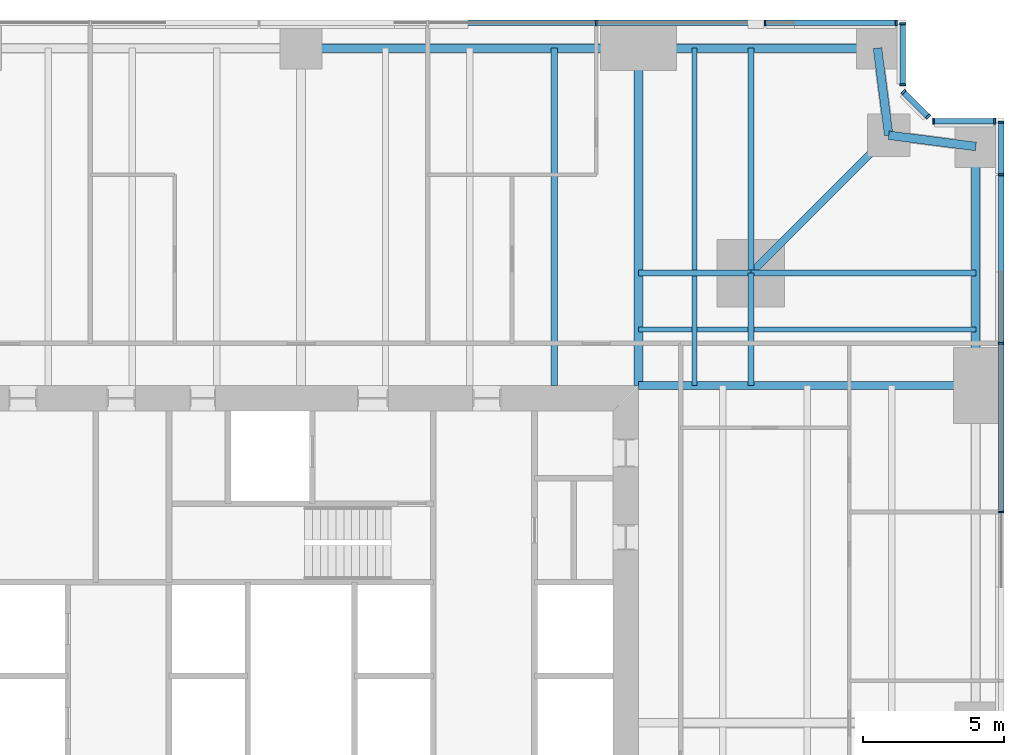
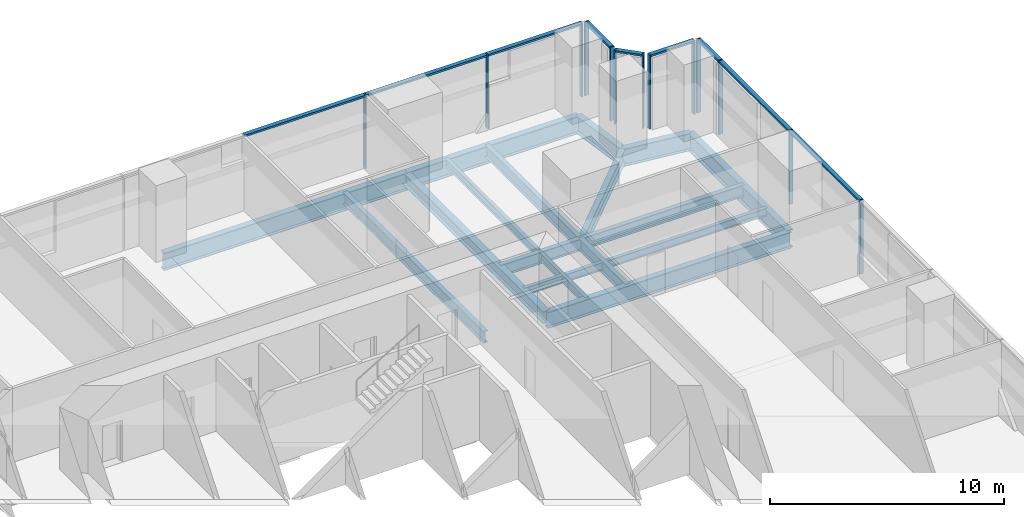
# One storey, part 7 of 13: 22 members, 18 beams, 5 elements without a shape of their own.
"""IFC4 building model written with IfcOpenShell, lengths in metres."""

from ifc_helpers import new_model, si_unit, direction, frame, origin, origin_2d, place, context, subcontext, project, spatial, rectangle, i_section, extrude, material, material_profile, profile_set, type_object, element, aggregate, save


model = new_model("IFC4")

# Units and contexts
model_context = context("Model", 3, precision=1e-05, world=origin(), true_north=direction((0.0, 1.0)))
body_context = subcontext(model_context, "Body", "Model", "MODEL_VIEW")
ifc_project = project(units=[si_unit("LENGTHUNIT", "METRE"), si_unit("AREAUNIT", "SQUARE_METRE"), si_unit("VOLUMEUNIT", "CUBIC_METRE"), si_unit("PLANEANGLEUNIT", "RADIAN"), si_unit("MASSUNIT", "GRAM", prefix="KILO")], contexts=[model_context])

# Site, building, storey
site_placement = place(None, origin())
site = spatial("IfcSite", under=ifc_project, at=site_placement, CompositionType="ELEMENT")
building_placement = place(site_placement, origin())
building = spatial("IfcBuilding", under=site, at=building_placement, Name="Fenwick Lantern Interchange", CompositionType="ELEMENT")
storey_placement = place(building_placement, frame((0.0, 0.0, 39.0)))
storey = spatial("IfcBuildingStorey", under=building, at=storey_placement, Name="L08", CompositionType="ELEMENT", Elevation=39.0)

# Beams
ifc_material_1 = material(Name="Steel ASTM A992 Grade 50", Category="steel")
ifc_material_profile_1 = material_profile(ifc_material_1, i_section(OverallWidth=0.3046875, OverallDepth=0.911865234375, WebThickness=0.015869140625, FlangeThickness=0.02392578125, at=origin_2d()), Name="W36X150")
ifc_profile_set_1 = profile_set([ifc_material_profile_1], Name="Steel ASTM A992 Grade 50")
beam_type_1 = type_object("IfcBeamType", Name="EDGE BEAM W36X150", PredefinedType="SPANDREL", material=ifc_profile_set_1)
beam_1_placement = place(storey_placement, frame((49.0, 37.0, -0.60595703125), z_axis=(0.0, 1.0, 0.0), x_axis=(-1.0, 0.0, 0.0)))
element("IfcBeam", 1, at=beam_1_placement, inside=storey, type_object=beam_type_1, Name="L08/FR/E/EB4", PredefinedType="SPANDREL", context=body_context, shape_type="SweptSolid", body=[
    extrude(i_section(OverallWidth=0.3046875, OverallDepth=0.911865234375, WebThickness=0.015869140625, FlangeThickness=0.02392578125, at=origin_2d()), origin(), (0.0, 0.0, 1.0), 8.5),
])
for number, where, z_axis, x_axis, name in (
    (2, (49.0, 45.5, -0.60595703125), (-0.991782342897, 0.127936641807, 0.0), (-0.127936641807, -0.991782342897, 0.0), "L08/FR/E/EBR1"),
    (3, (45.89990234375, 45.89990234375, -0.60595703125), (-0.127936641807, 0.991782342897, 0.0), (-0.991782342897, -0.127936641807, 0.0), "L08/FR/E/EBR2"),
):
    element("IfcBeam", number, at=place(storey_placement, frame(where, z_axis=z_axis, x_axis=x_axis)), inside=storey, type_object=beam_type_1, Name=name, PredefinedType="SPANDREL", context=body_context, shape_type="SweptSolid", body=[
        extrude(i_section(OverallWidth=0.3046875, OverallDepth=0.911865234375, WebThickness=0.015869140625, FlangeThickness=0.02392578125, at=origin_2d()), origin(), (0.0, 0.0, 1.0), 3.125732421875),
    ])
beam_2_placement = place(storey_placement, frame((45.5, 49.0, -0.60595703125), z_axis=(-1.0, 0.0, 0.0), x_axis=(0.0, -1.0, 0.0)))
element("IfcBeam", 4, at=beam_2_placement, inside=storey, type_object=beam_type_1, Name="L08/FR/N/EB1", PredefinedType="SPANDREL", context=body_context, shape_type="SweptSolid", body=[
    extrude(i_section(OverallWidth=0.3046875, OverallDepth=0.911865234375, WebThickness=0.015869140625, FlangeThickness=0.02392578125, at=origin_2d()), origin(), (0.0, 0.0, 1.0), 8.5),
])
beam_3_placement = place(storey_placement, frame((37.0, 49.0, -0.60595703125), z_axis=(-1.0, 0.0, 0.0), x_axis=(0.0, -1.0, 0.0)))
element("IfcBeam", 5, at=beam_3_placement, inside=storey, type_object=beam_type_1, Name="L08/FR/N/EB2", PredefinedType="SPANDREL", context=body_context, shape_type="SweptSolid", body=[
    extrude(i_section(OverallWidth=0.3046875, OverallDepth=0.911865234375, WebThickness=0.015869140625, FlangeThickness=0.02392578125, at=origin_2d()), origin(), (0.0, 0.0, 1.0), 12.0),
])
ifc_material_profile_2 = material_profile(ifc_material_1, i_section(OverallWidth=0.22900390625, OverallDepth=0.612060546875, WebThickness=0.011962890625, FlangeThickness=0.01953125, at=origin_2d()), Name="W24X84")
ifc_profile_set_2 = profile_set([ifc_material_profile_2], Name="Steel ASTM A992 Grade 50")
beam_type_2 = type_object("IfcBeamType", Name="FLOOR BEAM W24X84", PredefinedType="BEAM", material=ifc_profile_set_2)
beam_4_placement = place(storey_placement, frame((34.0, 49.0, -0.4560546875), z_axis=(0.0, -1.0, 0.0), x_axis=(1.0, 0.0, 0.0)))
element("IfcBeam", 6, at=beam_4_placement, inside=storey, type_object=beam_type_2, Name="L08/FR/N/R02", PredefinedType="BEAM", context=body_context, shape_type="SweptSolid", body=[
    extrude(i_section(OverallWidth=0.22900390625, OverallDepth=0.612060546875, WebThickness=0.011962890625, FlangeThickness=0.01953125, at=origin_2d()), origin(), (0.0, 0.0, 1.0), 12.0),
])
ifc_material_profile_3 = material_profile(ifc_material_1, i_section(OverallWidth=0.177734375, OverallDepth=0.406494140625, WebThickness=0.0078125, FlangeThickness=0.012939453125, at=origin_2d()), Name="W16X40")
ifc_profile_set_3 = profile_set([ifc_material_profile_3], Name="Steel ASTM A992 Grade 50")
beam_type_3 = type_object("IfcBeamType", Name="INFILL BEAM W16X40", PredefinedType="JOIST", material=ifc_profile_set_3)
beam_5_placement = place(storey_placement, frame((39.0, 49.0, -0.353271484375), z_axis=(0.0, -1.0, 0.0), x_axis=(1.0, 0.0, 0.0)))
element("IfcBeam", 7, at=beam_5_placement, inside=storey, type_object=beam_type_3, Name="L08/FR/N/J1", PredefinedType="JOIST", context=body_context, shape_type="SweptSolid", body=[
    extrude(i_section(OverallWidth=0.177734375, OverallDepth=0.406494140625, WebThickness=0.0078125, FlangeThickness=0.012939453125, at=origin_2d()), origin(), (0.0, 0.0, 1.0), 7.885498046875),
])
beam_6_placement = place(storey_placement, frame((39.0, 40.885498046875, -0.353271484375), z_axis=(0.0, -1.0, 0.0), x_axis=(1.0, 0.0, 0.0)))
element("IfcBeam", 8, at=beam_6_placement, inside=storey, type_object=beam_type_3, Name="L08/FR/N/J2", PredefinedType="JOIST", context=body_context, shape_type="SweptSolid", body=[
    extrude(i_section(OverallWidth=0.177734375, OverallDepth=0.406494140625, WebThickness=0.0078125, FlangeThickness=0.012939453125, at=origin_2d()), origin(), (0.0, 0.0, 1.0), 3.885498046875),
])
beam_7_placement = place(storey_placement, frame((49.0, 39.0, -0.353271484375), z_axis=(-1.0, 0.0, 0.0), x_axis=(0.0, -1.0, 0.0)))
element("IfcBeam", 9, at=beam_7_placement, inside=storey, type_object=beam_type_3, Name="L08/FR/N/J3", PredefinedType="JOIST", context=body_context, shape_type="SweptSolid", body=[
    extrude(i_section(OverallWidth=0.177734375, OverallDepth=0.406494140625, WebThickness=0.0078125, FlangeThickness=0.012939453125, at=origin_2d()), origin(), (0.0, 0.0, 1.0), 7.885498046875),
])
beam_8_placement = place(storey_placement, frame((40.885498046875, 39.0, -0.353271484375), z_axis=(-1.0, 0.0, 0.0), x_axis=(0.0, -1.0, 0.0)))
element("IfcBeam", 10, at=beam_8_placement, inside=storey, type_object=beam_type_3, Name="L08/FR/N/J4", PredefinedType="JOIST", context=body_context, shape_type="SweptSolid", body=[
    extrude(i_section(OverallWidth=0.177734375, OverallDepth=0.406494140625, WebThickness=0.0078125, FlangeThickness=0.012939453125, at=origin_2d()), origin(), (0.0, 0.0, 1.0), 1.796630859375),
])
beam_9_placement = place(storey_placement, frame((38.9111328125, 39.0, -0.353271484375), z_axis=(-1.0, 0.0, 0.0), x_axis=(0.0, -1.0, 0.0)))
element("IfcBeam", 11, at=beam_9_placement, inside=storey, type_object=beam_type_3, Name="L08/FR/N/J5", PredefinedType="JOIST", context=body_context, shape_type="SweptSolid", body=[
    extrude(i_section(OverallWidth=0.177734375, OverallDepth=0.406494140625, WebThickness=0.0078125, FlangeThickness=0.012939453125, at=origin_2d()), origin(), (0.0, 0.0, 1.0), 1.9111328125),
])
ifc_material_profile_4 = material_profile(ifc_material_1, i_section(OverallWidth=0.22900390625, OverallDepth=0.612060546875, WebThickness=0.011962890625, FlangeThickness=0.01953125, at=origin_2d()), Name="W24X84")
ifc_profile_set_4 = profile_set([ifc_material_profile_4], Name="Steel ASTM A992 Grade 50")
beam_type_4 = type_object("IfcBeamType", Name="MEGA COLUMN BEAM W24X84", PredefinedType="BEAM", material=ifc_profile_set_4)
for number, where, z_axis, x_axis, name in (
    (12, (41.0, 41.0, -0.4560546875), (0.0, 1.0, 0.0), (-1.0, 0.0, 0.0), "L08/FR/N/MB1"),
    (13, (41.0, 41.0, -0.4560546875), (1.0, 0.0, 0.0), (0.0, 1.0, 0.0), "L08/FR/N/MB2"),
):
    element("IfcBeam", number, at=place(storey_placement, frame(where, z_axis=z_axis, x_axis=x_axis)), inside=storey, type_object=beam_type_4, Name=name, PredefinedType="BEAM", context=body_context, shape_type="SweptSolid", body=[
        extrude(i_section(OverallWidth=0.22900390625, OverallDepth=0.612060546875, WebThickness=0.011962890625, FlangeThickness=0.01953125, at=origin_2d()), origin(), (0.0, 0.0, 1.0), 8.0),
    ])
for number, where, z_axis, x_axis, name in (
    (14, (41.0, 41.0, -0.4560546875), (-1.0, 0.0, 0.0), (0.0, -1.0, 0.0), "L08/FR/N/MB3"),
    (15, (41.0, 41.0, -0.4560546875), (0.0, -1.0, 0.0), (1.0, 0.0, 0.0), "L08/FR/N/MB4"),
):
    element("IfcBeam", number, at=place(storey_placement, frame(where, z_axis=z_axis, x_axis=x_axis)), inside=storey, type_object=beam_type_4, Name=name, PredefinedType="BEAM", context=body_context, shape_type="SweptSolid", body=[
        extrude(i_section(OverallWidth=0.22900390625, OverallDepth=0.612060546875, WebThickness=0.011962890625, FlangeThickness=0.01953125, at=origin_2d()), origin(), (0.0, 0.0, 1.0), 4.0),
    ])
ifc_material_profile_5 = material_profile(ifc_material_1, i_section(OverallWidth=0.32763671875, OverallDepth=0.622314453125, WebThickness=0.015380859375, FlangeThickness=0.0244140625, at=origin_2d()), Name="W24X131")
ifc_profile_set_5 = profile_set([ifc_material_profile_5], Name="Steel ASTM A992 Grade 50")
beam_type_5 = type_object("IfcBeamType", Name="MOMENT-CONNECTED GIRDER W24X131", PredefinedType="BEAM", material=ifc_profile_set_5)
beam_10_placement = place(storey_placement, frame((37.0, 49.0, -0.461181640625), z_axis=(0.0, -1.0, 0.0), x_axis=(1.0, 0.0, 0.0)))
element("IfcBeam", 16, at=beam_10_placement, inside=storey, type_object=beam_type_5, Name="L08/FR/N/R01", PredefinedType="BEAM", context=body_context, shape_type="SweptSolid", body=[
    extrude(i_section(OverallWidth=0.32763671875, OverallDepth=0.622314453125, WebThickness=0.015380859375, FlangeThickness=0.0244140625, at=origin_2d()), origin(), (0.0, 0.0, 1.0), 12.0),
])
ifc_material_profile_6 = material_profile(ifc_material_1, i_section(OverallWidth=0.2919921875, OverallDepth=0.845703125, WebThickness=0.015380859375, FlangeThickness=0.0244140625, at=origin_2d()), Name="W33X141")
ifc_profile_set_6 = profile_set([ifc_material_profile_6], Name="Steel ASTM A992 Grade 50")
beam_type_6 = type_object("IfcBeamType", Name="MOMENT-CONNECTED GIRDER W33X141", PredefinedType="BEAM", material=ifc_profile_set_6)
beam_11_placement = place(storey_placement, frame((49.0, 37.0, -0.572998046875), z_axis=(-1.0, 0.0, 0.0), x_axis=(0.0, -1.0, 0.0)))
element("IfcBeam", 17, at=beam_11_placement, inside=storey, type_object=beam_type_6, Name="L08/FR/E/R03", PredefinedType="BEAM", context=body_context, shape_type="SweptSolid", body=[
    extrude(i_section(OverallWidth=0.2919921875, OverallDepth=0.845703125, WebThickness=0.015380859375, FlangeThickness=0.0244140625, at=origin_2d()), origin(), (0.0, 0.0, 1.0), 12.0),
])
ifc_material_profile_7 = material_profile(ifc_material_1, i_section(OverallWidth=0.2666015625, OverallDepth=0.7568359375, WebThickness=0.013916015625, FlangeThickness=0.019287109375, at=origin_2d()), Name="W30X108")
ifc_profile_set_7 = profile_set([ifc_material_profile_7], Name="Steel ASTM A992 Grade 50")
beam_type_7 = type_object("IfcBeamType", Name="NOTCH BEAM W30X108", PredefinedType="BEAM", material=ifc_profile_set_7)
beam_12_placement = place(storey_placement, frame((41.0, 41.0, -0.528564453125), z_axis=(0.707106781187, 0.707106781187, 0.0), x_axis=(-0.707106781187, 0.707106781187, 0.0)))
element("IfcBeam", 18, at=beam_12_placement, inside=storey, type_object=beam_type_7, Name="L08/FR/N/TG", PredefinedType="BEAM", context=body_context, shape_type="SweptSolid", body=[
    extrude(i_section(OverallWidth=0.2666015625, OverallDepth=0.7568359375, WebThickness=0.013916015625, FlangeThickness=0.019287109375, at=origin_2d()), origin(), (0.0, 0.0, 1.0), 6.929443359375),
])

# Curtain wall, members
ifc_material_2 = material(Name="Aluminium curtain wall frame", Category="aluminium")
curtain_wall_type = type_object("IfcCurtainWallType", Name="OFFICE CURTAIN WALL", PredefinedType="USERDEFINED", material=ifc_material_2)
curtain_wall_1_placement = place(storey_placement, origin())
curtain_wall_1 = element("IfcCurtainWall", 19, at=curtain_wall_1_placement, inside=storey, type_object=curtain_wall_type, Name="Office curtain wall 05", ObjectType="OFFICE CURTAIN WALL", PredefinedType="USERDEFINED")
ifc_material_3 = material(Name="Aluminium extrusion", Category="aluminium")
ifc_material_profile_8 = material_profile(ifc_material_3, rectangle(XDim=0.199951171875, YDim=0.06494140625, at=origin_2d()), Name="OFFICE CURTAIN WALL MULLION 65 X 200")
ifc_profile_set_8 = profile_set([ifc_material_profile_8], Name="Aluminium extrusion")
member_type_1 = type_object("IfcMemberType", Name="OFFICE CURTAIN WALL MULLION 65 X 200", PredefinedType="MULLION", material=ifc_profile_set_8)
member_1_placement = place(storey_placement, frame((49.89990234375, 32.5, 0.0), z_axis=(0.0, 0.0, 1.0), x_axis=(-1.0, 0.0, 0.0)))
member_1 = element("IfcMember", 20, at=member_1_placement, type_object=member_type_1, Name="L08/CW/05/M05", PredefinedType="MULLION", context=body_context, shape_type="SweptSolid", body=[
    extrude(rectangle(XDim=0.199951171875, YDim=0.06494140625, at=origin_2d()), origin(), (0.0, 0.0, 1.0), 3.85009765625),
])
member_2_placement = place(storey_placement, frame((49.89990234375, 38.5, 0.0), z_axis=(0.0, 0.0, 1.0), x_axis=(-1.0, 0.0, 0.0)))
member_2 = element("IfcMember", 21, at=member_2_placement, type_object=member_type_1, Name="L08/CW/05/M06", PredefinedType="MULLION", context=body_context, shape_type="SweptSolid", body=[
    extrude(rectangle(XDim=0.199951171875, YDim=0.06494140625, at=origin_2d()), origin(), (0.0, 0.0, 1.0), 3.85009765625),
])
member_3_placement = place(storey_placement, frame((49.89990234375, 44.5, 0.0), z_axis=(0.0, 0.0, 1.0), x_axis=(-1.0, 0.0, 0.0)))
member_3 = element("IfcMember", 22, at=member_3_placement, type_object=member_type_1, Name="L08/CW/05/M07", PredefinedType="MULLION", context=body_context, shape_type="SweptSolid", body=[
    extrude(rectangle(XDim=0.199951171875, YDim=0.06494140625, at=origin_2d()), origin(), (0.0, 0.0, 1.0), 3.85009765625),
])
member_4_placement = place(storey_placement, frame((49.89990234375, 46.367431640625, 0.0), z_axis=(0.0, 0.0, 1.0), x_axis=(-1.0, 0.0, 0.0)))
member_4 = element("IfcMember", 23, at=member_4_placement, type_object=member_type_1, Name="L08/CW/05/M08", PredefinedType="MULLION", context=body_context, shape_type="SweptSolid", body=[
    extrude(rectangle(XDim=0.199951171875, YDim=0.06494140625, at=origin_2d()), origin(), (0.0, 0.0, 1.0), 3.85009765625),
])

curtain_wall_2_placement = place(storey_placement, origin())
curtain_wall_2 = element("IfcCurtainWall", 24, at=curtain_wall_2_placement, inside=storey, type_object=curtain_wall_type, Name="Office curtain wall 06", ObjectType="OFFICE CURTAIN WALL", PredefinedType="USERDEFINED")
member_5_placement = place(storey_placement, frame((49.66748046875, 46.39990234375, 0.0), z_axis=(0.0, 0.0, 1.0), x_axis=(0.0, -1.0, 0.0)))
member_5 = element("IfcMember", 25, at=member_5_placement, type_object=member_type_1, Name="L08/CW/06/M00", PredefinedType="MULLION", context=body_context, shape_type="SweptSolid", body=[
    extrude(rectangle(XDim=0.199951171875, YDim=0.06494140625, at=origin_2d()), origin(), (0.0, 0.0, 1.0), 3.85009765625),
])
member_6_placement = place(storey_placement, frame((47.490966796875, 46.39990234375, 0.0), z_axis=(0.0, 0.0, 1.0), x_axis=(0.0, -1.0, 0.0)))
member_6 = element("IfcMember", 26, at=member_6_placement, type_object=member_type_1, Name="L08/CW/06/M01", PredefinedType="MULLION", context=body_context, shape_type="SweptSolid", body=[
    extrude(rectangle(XDim=0.199951171875, YDim=0.06494140625, at=origin_2d()), origin(), (0.0, 0.0, 1.0), 3.85009765625),
])

curtain_wall_3_placement = place(storey_placement, origin())
curtain_wall_3 = element("IfcCurtainWall", 27, at=curtain_wall_3_placement, inside=storey, type_object=curtain_wall_type, Name="Office curtain wall 07", ObjectType="OFFICE CURTAIN WALL", PredefinedType="USERDEFINED")
member_7_placement = place(storey_placement, frame((47.294189453125, 46.564453125, 0.0), z_axis=(0.0, 0.0, 1.0), x_axis=(-0.707106781187, -0.707106781187, 0.0)))
member_7 = element("IfcMember", 28, at=member_7_placement, type_object=member_type_1, Name="L08/CW/07/M00", PredefinedType="MULLION", context=body_context, shape_type="SweptSolid", body=[
    extrude(rectangle(XDim=0.199951171875, YDim=0.06494140625, at=origin_2d()), origin(), (0.0, 0.0, 1.0), 3.85009765625),
])
member_8_placement = place(storey_placement, frame((46.423095703125, 47.435546875, 0.0), z_axis=(0.0, 0.0, 1.0), x_axis=(-0.707106781187, -0.707106781187, 0.0)))
member_8 = element("IfcMember", 29, at=member_8_placement, type_object=member_type_1, Name="L08/CW/07/M01", PredefinedType="MULLION", context=body_context, shape_type="SweptSolid", body=[
    extrude(rectangle(XDim=0.199951171875, YDim=0.06494140625, at=origin_2d()), origin(), (0.0, 0.0, 1.0), 3.85009765625),
])

curtain_wall_4_placement = place(storey_placement, origin())
curtain_wall_4 = element("IfcCurtainWall", 30, at=curtain_wall_4_placement, inside=storey, type_object=curtain_wall_type, Name="Office curtain wall 08", ObjectType="OFFICE CURTAIN WALL", PredefinedType="USERDEFINED")
member_9_placement = place(storey_placement, frame((46.39990234375, 47.691162109375, 0.0), z_axis=(0.0, 0.0, 1.0), x_axis=(-1.0, 0.0, 0.0)))
member_9 = element("IfcMember", 31, at=member_9_placement, type_object=member_type_1, Name="L08/CW/08/M00", PredefinedType="MULLION", context=body_context, shape_type="SweptSolid", body=[
    extrude(rectangle(XDim=0.199951171875, YDim=0.06494140625, at=origin_2d()), origin(), (0.0, 0.0, 1.0), 3.85009765625),
])
member_10_placement = place(storey_placement, frame((46.39990234375, 49.867431640625, 0.0), z_axis=(0.0, 0.0, 1.0), x_axis=(-1.0, 0.0, 0.0)))
member_10 = element("IfcMember", 32, at=member_10_placement, type_object=member_type_1, Name="L08/CW/08/M01", PredefinedType="MULLION", context=body_context, shape_type="SweptSolid", body=[
    extrude(rectangle(XDim=0.199951171875, YDim=0.06494140625, at=origin_2d()), origin(), (0.0, 0.0, 1.0), 3.85009765625),
])

curtain_wall_5_placement = place(storey_placement, origin())
curtain_wall_5 = element("IfcCurtainWall", 33, at=curtain_wall_5_placement, inside=storey, type_object=curtain_wall_type, Name="Office curtain wall 09", ObjectType="OFFICE CURTAIN WALL", PredefinedType="USERDEFINED")
member_11_placement = place(storey_placement, frame((46.16748046875, 49.89990234375, 0.0), z_axis=(0.0, 0.0, 1.0), x_axis=(0.0, -1.0, 0.0)))
member_11 = element("IfcMember", 34, at=member_11_placement, type_object=member_type_1, Name="L08/CW/09/M00", PredefinedType="MULLION", context=body_context, shape_type="SweptSolid", body=[
    extrude(rectangle(XDim=0.199951171875, YDim=0.06494140625, at=origin_2d()), origin(), (0.0, 0.0, 1.0), 3.85009765625),
])
member_12_placement = place(storey_placement, frame((41.5, 49.89990234375, 0.0), z_axis=(0.0, 0.0, 1.0), x_axis=(0.0, -1.0, 0.0)))
member_12 = element("IfcMember", 35, at=member_12_placement, type_object=member_type_1, Name="L08/CW/09/M01", PredefinedType="MULLION", context=body_context, shape_type="SweptSolid", body=[
    extrude(rectangle(XDim=0.199951171875, YDim=0.06494140625, at=origin_2d()), origin(), (0.0, 0.0, 1.0), 3.85009765625),
])
member_13_placement = place(storey_placement, frame((35.5, 49.89990234375, 0.0), z_axis=(0.0, 0.0, 1.0), x_axis=(0.0, -1.0, 0.0)))
member_13 = element("IfcMember", 36, at=member_13_placement, type_object=member_type_1, Name="L08/CW/09/M02", PredefinedType="MULLION", context=body_context, shape_type="SweptSolid", body=[
    extrude(rectangle(XDim=0.199951171875, YDim=0.06494140625, at=origin_2d()), origin(), (0.0, 0.0, 1.0), 3.85009765625),
])

# Member
ifc_material_profile_9 = material_profile(ifc_material_3, rectangle(XDim=0.199951171875, YDim=0.10009765625, at=origin_2d()), Name="OFFICE CURTAIN WALL TRANSOM 100 X 200")
ifc_profile_set_9 = profile_set([ifc_material_profile_9], Name="Aluminium extrusion")
member_type_2 = type_object("IfcMemberType", Name="OFFICE CURTAIN WALL TRANSOM 100 X 200", PredefinedType="MULLION", material=ifc_profile_set_9)
member_14_placement = place(storey_placement, frame((49.89990234375, 32.532470703125, 3.800048828125), z_axis=(0.0, 1.0, 0.0), x_axis=(-1.0, 0.0, 0.0)))
member_14 = element("IfcMember", 37, at=member_14_placement, type_object=member_type_2, Name="L08/CW/05/T05", PredefinedType="MULLION", context=body_context, shape_type="SweptSolid", body=[
    extrude(rectangle(XDim=0.199951171875, YDim=0.10009765625, at=origin_2d()), origin(), (0.0, 0.0, 1.0), 5.93505859375),
])

member_15_placement = place(storey_placement, frame((49.89990234375, 38.532470703125, 3.800048828125), z_axis=(0.0, 1.0, 0.0), x_axis=(-1.0, 0.0, 0.0)))
member_15 = element("IfcMember", 38, at=member_15_placement, type_object=member_type_2, Name="L08/CW/05/T06", PredefinedType="MULLION", context=body_context, shape_type="SweptSolid", body=[
    extrude(rectangle(XDim=0.199951171875, YDim=0.10009765625, at=origin_2d()), origin(), (0.0, 0.0, 1.0), 5.93505859375),
])

member_16_placement = place(storey_placement, frame((49.89990234375, 44.532470703125, 3.800048828125), z_axis=(0.0, 1.0, 0.0), x_axis=(-1.0, 0.0, 0.0)))
member_16 = element("IfcMember", 39, at=member_16_placement, type_object=member_type_2, Name="L08/CW/05/T07", PredefinedType="MULLION", context=body_context, shape_type="SweptSolid", body=[
    extrude(rectangle(XDim=0.199951171875, YDim=0.10009765625, at=origin_2d()), origin(), (0.0, 0.0, 1.0), 1.802490234375),
])

aggregate(curtain_wall_1, [member_1, member_2, member_3, member_4, member_14, member_15, member_16])

member_17_placement = place(storey_placement, frame((49.635009765625, 46.39990234375, 3.800048828125), z_axis=(-1.0, 0.0, 0.0), x_axis=(0.0, -1.0, 0.0)))
member_17 = element("IfcMember", 40, at=member_17_placement, type_object=member_type_2, Name="L08/CW/06/T00", PredefinedType="MULLION", context=body_context, shape_type="SweptSolid", body=[
    extrude(rectangle(XDim=0.199951171875, YDim=0.10009765625, at=origin_2d()), origin(), (0.0, 0.0, 1.0), 2.111328125),
])

aggregate(curtain_wall_2, [member_5, member_6, member_17])

member_18_placement = place(storey_placement, frame((47.271240234375, 46.58740234375, 3.800048828125), z_axis=(-0.707106781187, 0.707106781187, 0.0), x_axis=(-0.707106781187, -0.707106781187, 0.0)))
member_18 = element("IfcMember", 41, at=member_18_placement, type_object=member_type_2, Name="L08/CW/07/T00", PredefinedType="MULLION", context=body_context, shape_type="SweptSolid", body=[
    extrude(rectangle(XDim=0.199951171875, YDim=0.10009765625, at=origin_2d()), origin(), (0.0, 0.0, 1.0), 1.1669921875),
])

aggregate(curtain_wall_3, [member_7, member_8, member_18])

member_19_placement = place(storey_placement, frame((46.39990234375, 47.7236328125, 3.800048828125), z_axis=(0.0, 1.0, 0.0), x_axis=(-1.0, 0.0, 0.0)))
member_19 = element("IfcMember", 42, at=member_19_placement, type_object=member_type_2, Name="L08/CW/08/T00", PredefinedType="MULLION", context=body_context, shape_type="SweptSolid", body=[
    extrude(rectangle(XDim=0.199951171875, YDim=0.10009765625, at=origin_2d()), origin(), (0.0, 0.0, 1.0), 2.111328125),
])

aggregate(curtain_wall_4, [member_9, member_10, member_19])

member_20_placement = place(storey_placement, frame((46.135009765625, 49.89990234375, 3.800048828125), z_axis=(-1.0, 0.0, 0.0), x_axis=(0.0, -1.0, 0.0)))
member_20 = element("IfcMember", 43, at=member_20_placement, type_object=member_type_2, Name="L08/CW/09/T00", PredefinedType="MULLION", context=body_context, shape_type="SweptSolid", body=[
    extrude(rectangle(XDim=0.199951171875, YDim=0.10009765625, at=origin_2d()), origin(), (0.0, 0.0, 1.0), 4.6025390625),
])

member_21_placement = place(storey_placement, frame((41.467529296875, 49.89990234375, 3.800048828125), z_axis=(-1.0, 0.0, 0.0), x_axis=(0.0, -1.0, 0.0)))
member_21 = element("IfcMember", 44, at=member_21_placement, type_object=member_type_2, Name="L08/CW/09/T01", PredefinedType="MULLION", context=body_context, shape_type="SweptSolid", body=[
    extrude(rectangle(XDim=0.199951171875, YDim=0.10009765625, at=origin_2d()), origin(), (0.0, 0.0, 1.0), 5.93505859375),
])

member_22_placement = place(storey_placement, frame((35.467529296875, 49.89990234375, 3.800048828125), z_axis=(-1.0, 0.0, 0.0), x_axis=(0.0, -1.0, 0.0)))
member_22 = element("IfcMember", 45, at=member_22_placement, type_object=member_type_2, Name="L08/CW/09/T02", PredefinedType="MULLION", context=body_context, shape_type="SweptSolid", body=[
    extrude(rectangle(XDim=0.199951171875, YDim=0.10009765625, at=origin_2d()), origin(), (0.0, 0.0, 1.0), 5.93505859375),
])

aggregate(curtain_wall_5, [member_11, member_12, member_13, member_20, member_21, member_22])

save(model, "model.ifc")
